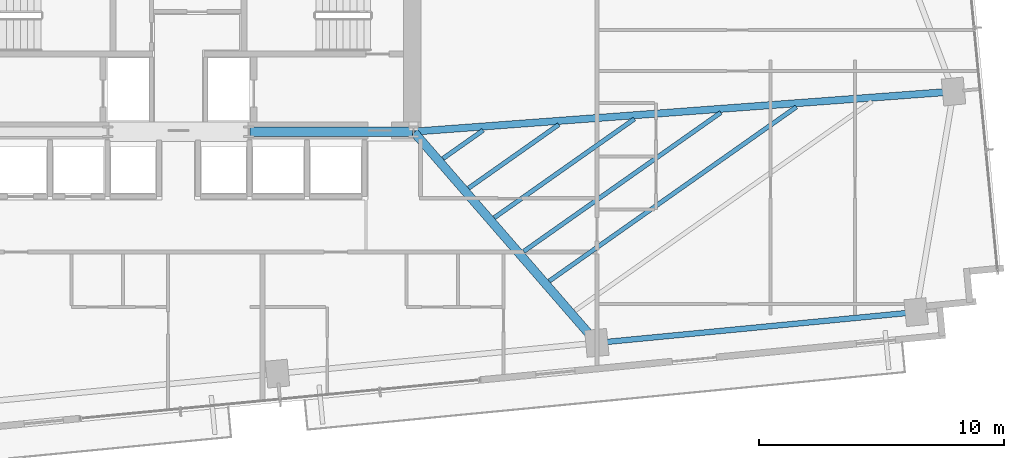
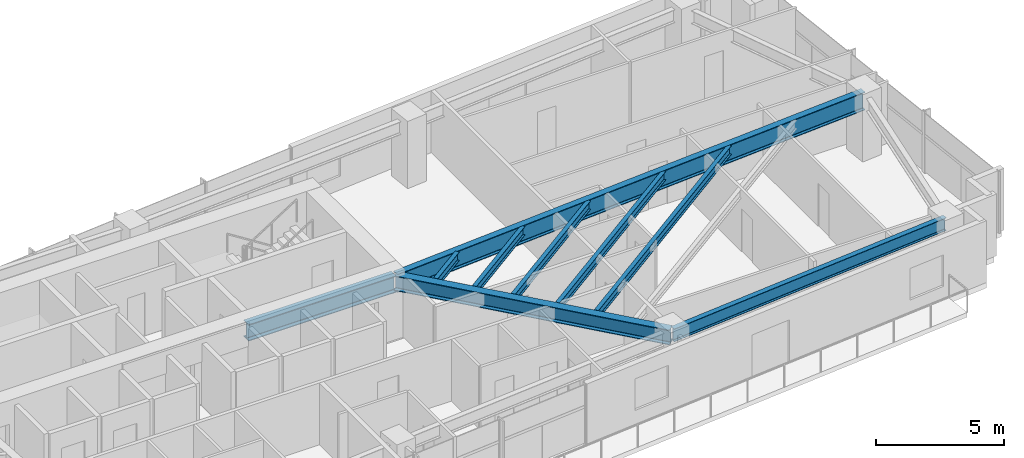
# One storey, part 13 of 27: 9 beams.
"""IFC4 building model written with IfcOpenShell, lengths in metres."""

from ifc_helpers import new_model, si_unit, direction, frame, origin, origin_2d, place, context, subcontext, project, spatial, i_section, extrude, source, transform, mapped, material, material_profile, profile_set, type_object, type_shapes, element, save


model = new_model("IFC4")

# Units and contexts
model_context = context("Model", 3, precision=1e-05, world=origin(), true_north=direction((0.0, 1.0)))
body_context = subcontext(model_context, "Body", "Model", "MODEL_VIEW")
ifc_project = project(units=[si_unit("LENGTHUNIT", "METRE"), si_unit("AREAUNIT", "SQUARE_METRE"), si_unit("VOLUMEUNIT", "CUBIC_METRE"), si_unit("PLANEANGLEUNIT", "RADIAN"), si_unit("MASSUNIT", "GRAM", prefix="KILO")], contexts=[model_context])

# Site, building, storey
site_placement = place(None, origin())
site = spatial("IfcSite", under=ifc_project, at=site_placement, CompositionType="ELEMENT")
building_placement = place(site_placement, origin())
building = spatial("IfcBuilding", under=site, at=building_placement, Name="Astriad Promenade Condominiums", CompositionType="ELEMENT")
storey_placement = place(building_placement, frame((0.0, 0.0, 90.60009765625)))
storey = spatial("IfcBuildingStorey", under=building, at=storey_placement, Name="L25", CompositionType="ELEMENT", Elevation=90.60009765625)

# Beams
ifc_material = material(Name="Steel ASTM A992 Grade 50", Category="steel")
ifc_material_profile_1 = material_profile(ifc_material, i_section(OverallWidth=0.3837890625, OverallDepth=0.785888671875, WebThickness=0.019775390625, FlangeThickness=0.033447265625, FilletRadius=0.021484375, at=origin_2d()), Name="W30X211")
ifc_profile_set_1 = profile_set([ifc_material_profile_1], Name="Steel ASTM A992 Grade 50")
beam_type_1 = type_object("IfcBeamType", Name="STEEL FLOOR GIRDER W30X211", PredefinedType="BEAM", material=ifc_profile_set_1)
shared_shape_1 = source(origin(), body_context, "Body", "SweptSolid", [
    extrude(i_section(OverallWidth=0.3837890625, OverallDepth=0.785888671875, WebThickness=0.019775390625, FlangeThickness=0.033447265625, FilletRadius=0.021484375, at=origin_2d()), origin(), (0.0, 0.0, 1.0), 6.64013671875),
])
type_shapes(beam_type_1, [shared_shape_1])
beam_1_placement = place(storey_placement, frame((38.919921875, 17.39990234375, 2.547119140625), z_axis=(1.0, 0.0, 0.0), x_axis=(0.0, 1.0, 0.0)))
element("IfcBeam", 1, at=beam_1_placement, inside=storey, type_object=beam_type_1, Name="Core Ring Beam CG-S3-L25", PredefinedType="BEAM", context=body_context, shape_type="MappedRepresentation", body=[
    mapped(shared_shape_1, transform((0.0, 0.0, 0.0), scale=1.0)),
])
ifc_material_profile_2 = material_profile(ifc_material, i_section(OverallWidth=0.22900390625, OverallDepth=0.612060546875, WebThickness=0.011962890625, FlangeThickness=0.01953125, FilletRadius=0.017822265625, at=origin_2d()), Name="W24X84")
ifc_profile_set_2 = profile_set([ifc_material_profile_2], Name="Steel ASTM A992 Grade 50")
beam_type_2 = type_object("IfcBeamType", Name="STEEL SPANDREL BEAM W24X84", PredefinedType="SPANDREL", material=ifc_profile_set_2)
shared_shape_2 = source(origin(), body_context, "Body", "SweptSolid", [
    extrude(i_section(OverallWidth=0.22900390625, OverallDepth=0.612060546875, WebThickness=0.011962890625, FlangeThickness=0.01953125, FilletRadius=0.017822265625, at=origin_2d()), origin(), (0.0, 0.0, 1.0), 13.020263671875),
])
type_shapes(beam_type_2, [shared_shape_2])
beam_2_placement = place(storey_placement, frame((53.124755859375, 8.780029296875, 2.6337890625), z_axis=(0.995395311238, 0.095854965264, 0.0), x_axis=(-0.095854965264, 0.995395311238, 0.0)))
element("IfcBeam", 2, at=beam_2_placement, inside=storey, type_object=beam_type_2, Name="Perimeter Spandrel Beam SP-S4-L25", PredefinedType="SPANDREL", context=body_context, shape_type="MappedRepresentation", body=[
    mapped(shared_shape_2, transform((0.0, 0.0, 0.0), scale=1.0)),
])
ifc_material_profile_3 = material_profile(ifc_material, i_section(OverallWidth=0.35791015625, OverallDepth=0.706298828125, WebThickness=0.018310546875, FlangeThickness=0.0302734375, FilletRadius=0.020263671875, at=origin_2d()), Name="W27X178")
ifc_profile_set_3 = profile_set([ifc_material_profile_3], Name="Steel ASTM A992 Grade 50")
beam_type_3 = type_object("IfcBeamType", Name="STEEL FLOOR GIRDER W27X178", PredefinedType="BEAM", material=ifc_profile_set_3)
shared_shape_3 = source(origin(), body_context, "Body", "SweptSolid", [
    extrude(i_section(OverallWidth=0.35791015625, OverallDepth=0.706298828125, WebThickness=0.018310546875, FlangeThickness=0.0302734375, FilletRadius=0.020263671875, at=origin_2d()), origin(), (0.0, 0.0, 1.0), 11.339111328125),
])
type_shapes(beam_type_3, [shared_shape_3])
beam_3_placement = place(storey_placement, frame((53.058837890625, 8.806396484375, 2.586669921875), z_axis=(-0.65548120109, 0.755211490258, 0.0), x_axis=(-0.755211490258, -0.65548120109, 0.0)))
element("IfcBeam", 3, at=beam_3_placement, inside=storey, type_object=beam_type_3, Name="Primary Floor Girder PG-E2-L25", PredefinedType="BEAM", context=body_context, shape_type="MappedRepresentation", body=[
    mapped(shared_shape_3, transform((0.0, 0.0, 0.0), scale=1.0)),
])
ifc_material_profile_4 = material_profile(ifc_material, i_section(OverallWidth=0.2919921875, OverallDepth=0.85888671875, WebThickness=0.01708984375, FlangeThickness=0.031005859375, FilletRadius=0.02294921875, at=origin_2d()), Name="W33X169")
ifc_profile_set_4 = profile_set([ifc_material_profile_4], Name="Steel ASTM A992 Grade 50")
beam_type_4 = type_object("IfcBeamType", Name="STEEL PRIMARY GIRDER W33X169", PredefinedType="BEAM", material=ifc_profile_set_4)
shared_shape_4 = source(origin(), body_context, "Body", "SweptSolid", [
    extrude(i_section(OverallWidth=0.2919921875, OverallDepth=0.85888671875, WebThickness=0.01708984375, FlangeThickness=0.031005859375, FilletRadius=0.02294921875, at=origin_2d()), origin(), (0.0, 0.0, 1.0), 22.029052734375),
])
type_shapes(beam_type_4, [shared_shape_4])
beam_4_placement = place(storey_placement, frame((67.6083984375, 19.036376953125, 2.510498046875), z_axis=(-0.99724763887, -0.074142745897, 0.0), x_axis=(0.074142745897, -0.99724763887, 0.0)))
element("IfcBeam", 4, at=beam_4_placement, inside=storey, type_object=beam_type_4, Name="Primary Floor Girder PG-EM-L25", PredefinedType="BEAM", context=body_context, shape_type="MappedRepresentation", body=[
    mapped(shared_shape_4, transform((0.0, 0.0, 0.0), scale=1.0)),
])
ifc_material_profile_5 = material_profile(ifc_material, i_section(OverallWidth=0.180908203125, OverallDepth=0.417236328125, WebThickness=0.010986328125, FlangeThickness=0.018310546875, FilletRadius=0.013916015625, at=origin_2d()), Name="W16X57")
ifc_profile_set_5 = profile_set([ifc_material_profile_5], Name="Steel ASTM A992 Grade 50")
beam_type_5 = type_object("IfcBeamType", Name="STEEL FLOOR JOIST W16X57", PredefinedType="JOIST", material=ifc_profile_set_5)
shared_shape_5 = source(origin(), body_context, "Body", "SweptSolid", [
    extrude(i_section(OverallWidth=0.180908203125, OverallDepth=0.417236328125, WebThickness=0.010986328125, FlangeThickness=0.018310546875, FilletRadius=0.013916015625, at=origin_2d()), origin(), (0.0, 0.0, 1.0), 12.34375),
])
beam_5_placement = place(storey_placement, frame((51.144287109375, 11.30029296875, 2.731201171875), z_axis=(0.817418723738, 0.576043948048, 0.0), x_axis=(-0.576043948048, 0.817418723738, 0.0)))
element("IfcBeam", 5, at=beam_5_placement, inside=storey, type_object=beam_type_5, Name="Secondary Composite Floor Joist JE1-2-L25", PredefinedType="JOIST", context=body_context, shape_type="MappedRepresentation", body=[
    mapped(shared_shape_5, transform((0.0, 0.0, 0.0), scale=1.0)),
])
shared_shape_6 = source(origin(), body_context, "Body", "SweptSolid", [
    extrude(i_section(OverallWidth=0.180908203125, OverallDepth=0.417236328125, WebThickness=0.010986328125, FlangeThickness=0.018310546875, FilletRadius=0.013916015625, at=origin_2d()), origin(), (0.0, 0.0, 1.0), 9.849609375),
])
beam_6_placement = place(storey_placement, frame((50.096435546875, 12.507568359375, 2.731201171875), z_axis=(0.817418240833, 0.5760446333, 0.0), x_axis=(-0.5760446333, 0.817418240833, 0.0)))
element("IfcBeam", 6, at=beam_6_placement, inside=storey, type_object=beam_type_5, Name="Secondary Composite Floor Joist JE1-3-L25", PredefinedType="JOIST", context=body_context, shape_type="MappedRepresentation", body=[
    mapped(shared_shape_6, transform((0.0, 0.0, 0.0), scale=1.0)),
])
shared_shape_7 = source(origin(), body_context, "Body", "SweptSolid", [
    extrude(i_section(OverallWidth=0.180908203125, OverallDepth=0.417236328125, WebThickness=0.010986328125, FlangeThickness=0.018310546875, FilletRadius=0.013916015625, at=origin_2d()), origin(), (0.0, 0.0, 1.0), 6.9990234375),
])
beam_7_placement = place(storey_placement, frame((48.898681640625, 13.88720703125, 2.731201171875), z_axis=(0.81742196028, 0.576039355298, 0.0), x_axis=(-0.576039355298, 0.81742196028, 0.0)))
element("IfcBeam", 7, at=beam_7_placement, inside=storey, type_object=beam_type_5, Name="Secondary Composite Floor Joist JE1-4-L25", PredefinedType="JOIST", context=body_context, shape_type="MappedRepresentation", body=[
    mapped(shared_shape_7, transform((0.0, 0.0, 0.0), scale=1.0)),
])
shared_shape_8 = source(origin(), body_context, "Body", "SweptSolid", [
    extrude(i_section(OverallWidth=0.180908203125, OverallDepth=0.417236328125, WebThickness=0.010986328125, FlangeThickness=0.018310546875, FilletRadius=0.013916015625, at=origin_2d()), origin(), (0.0, 0.0, 1.0), 4.504638671875),
])
beam_8_placement = place(storey_placement, frame((47.850830078125, 15.0947265625, 2.731201171875), z_axis=(0.817448215019, 0.576002097012, 0.0), x_axis=(-0.576002097012, 0.817448215019, 0.0)))
element("IfcBeam", 8, at=beam_8_placement, inside=storey, type_object=beam_type_5, Name="Secondary Composite Floor Joist JE1-5-L25", PredefinedType="JOIST", context=body_context, shape_type="MappedRepresentation", body=[
    mapped(shared_shape_8, transform((0.0, 0.0, 0.0), scale=1.0)),
])
shared_shape_9 = source(origin(), body_context, "Body", "SweptSolid", [
    extrude(i_section(OverallWidth=0.180908203125, OverallDepth=0.417236328125, WebThickness=0.010986328125, FlangeThickness=0.018310546875, FilletRadius=0.013916015625, at=origin_2d()), origin(), (0.0, 0.0, 1.0), 2.01025390625),
])
type_shapes(beam_type_5, [shared_shape_5, shared_shape_6, shared_shape_7, shared_shape_8, shared_shape_9])
beam_9_placement = place(storey_placement, frame((46.802978515625, 16.302001953125, 2.731201171875), z_axis=(0.8174421453, 0.576010710913, 0.0), x_axis=(-0.576010710913, 0.8174421453, 0.0)))
element("IfcBeam", 9, at=beam_9_placement, inside=storey, type_object=beam_type_5, Name="Secondary Composite Floor Joist JE1-6-L25", PredefinedType="JOIST", context=body_context, shape_type="MappedRepresentation", body=[
    mapped(shared_shape_9, transform((0.0, 0.0, 0.0), scale=1.0)),
])

save(model, "model.ifc")
